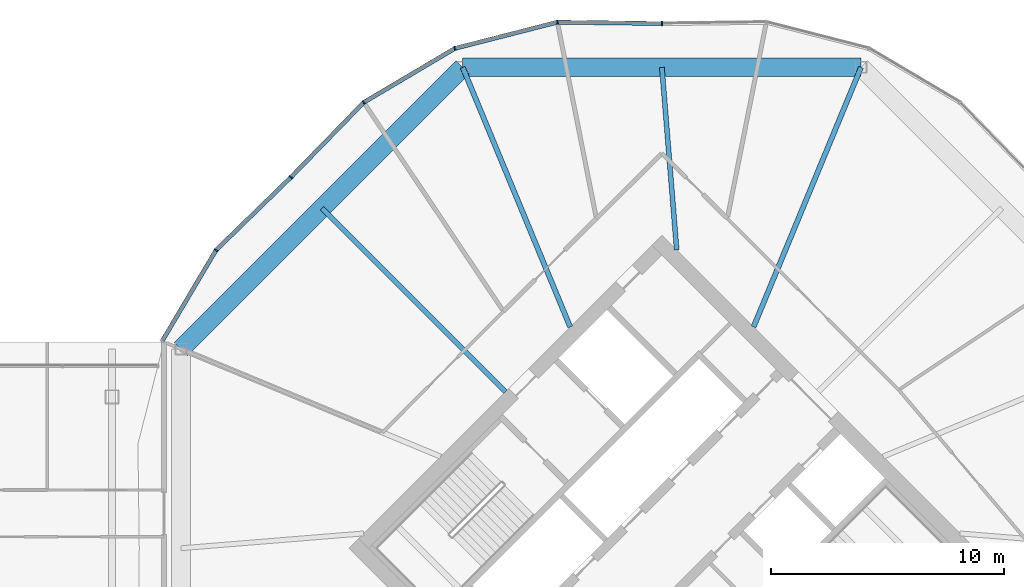
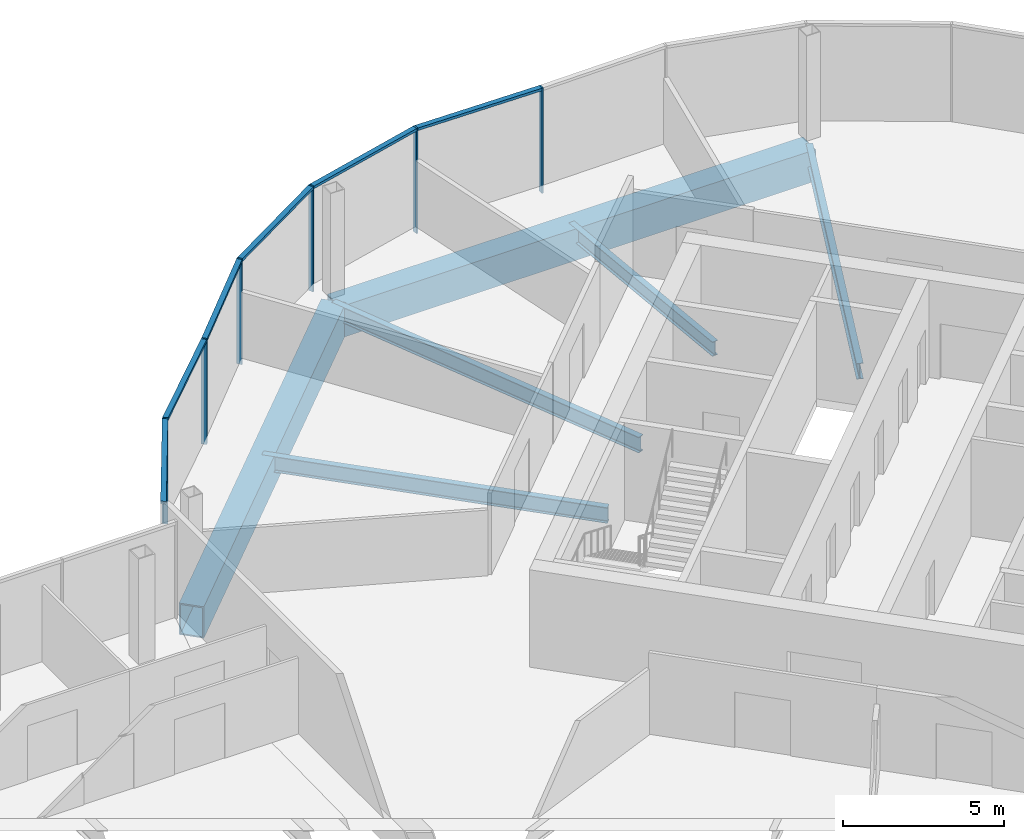
# One storey, part 15 of 25: 12 members, 6 beams, 3 elements without a shape of their own.
"""IFC4 building model written with IfcOpenShell, lengths in metres."""

from ifc_helpers import new_model, si_unit, direction, frame, origin, origin_2d, place, context, subcontext, project, spatial, rectangle, hollow_rectangle, i_section, extrude, material, material_profile, profile_set, type_object, element, aggregate, save


model = new_model("IFC4")

# Units and contexts
model_context = context("Model", 3, precision=1e-05, world=origin(), true_north=direction((0.0, 1.0)))
body_context = subcontext(model_context, "Body", "Model", "MODEL_VIEW")
ifc_project = project(units=[si_unit("LENGTHUNIT", "METRE"), si_unit("AREAUNIT", "SQUARE_METRE"), si_unit("VOLUMEUNIT", "CUBIC_METRE"), si_unit("PLANEANGLEUNIT", "RADIAN"), si_unit("MASSUNIT", "GRAM", prefix="KILO")], contexts=[model_context])

# Site, building, storey
site_placement = place(None, origin())
site = spatial("IfcSite", under=ifc_project, at=site_placement, CompositionType="ELEMENT")
building_placement = place(site_placement, origin())
building = spatial("IfcBuilding", under=site, at=building_placement, Name="Ogive Gate Towers", CompositionType="ELEMENT")
storey_placement = place(building_placement, frame((0.0, 0.0, 152.800048828125)))
storey = spatial("IfcBuildingStorey", under=building, at=storey_placement, Name="L36", CompositionType="ELEMENT", Elevation=152.800048828125)

# Beams
ifc_material_1 = material(Name="Steel SM460", Category="steel")
ifc_material_profile_1 = material_profile(ifc_material_1, hollow_rectangle(XDim=0.800048828125, YDim=1.199951171875, WallThickness=0.050048828125, at=origin_2d()), Name="BX 1200x800x50")
ifc_profile_set_1 = profile_set([ifc_material_profile_1], Name="Steel SM460")
beam_type_1 = type_object("IfcBeamType", Name="Edge girder BX 1200x800x50", PredefinedType="BEAM", material=ifc_profile_set_1)
beam_1_placement = place(storey_placement, frame((44.549072265625, 20.639404296875, -0.900146484375), z_axis=(-1.0, 0.0, 0.0), x_axis=(0.0, -1.0, 0.0)))
element("IfcBeam", 1, at=beam_1_placement, inside=storey, type_object=beam_type_1, Name="T2/L36/SBM022", PredefinedType="BEAM", context=body_context, shape_type="SweptSolid", body=[
    extrude(hollow_rectangle(XDim=0.800048828125, YDim=1.199951171875, WallThickness=0.050048828125, at=origin_2d()), origin(), (0.0, 0.0, 1.0), 17.09814453125),
])
beam_2_placement = place(storey_placement, frame((27.450927734375, 20.639404296875, -0.900146484375), z_axis=(-0.707106781187, -0.707106781187, 0.0), x_axis=(0.707106781187, -0.707106781187, 0.0)))
element("IfcBeam", 2, at=beam_2_placement, inside=storey, type_object=beam_type_1, Name="T2/L36/SBM023", PredefinedType="BEAM", context=body_context, shape_type="SweptSolid", body=[
    extrude(hollow_rectangle(XDim=0.800048828125, YDim=1.199951171875, WallThickness=0.050048828125, at=origin_2d()), origin(), (0.0, 0.0, 1.0), 17.098388671875),
])
ifc_material_2 = material(Name="Steel SM355", Category="steel")
ifc_material_profile_2 = material_profile(ifc_material_2, i_section(OverallWidth=0.2099609375, OverallDepth=0.550048828125, WebThickness=0.010986328125, FlangeThickness=0.01708984375, FilletRadius=0.02392578125, at=origin_2d()), Name="IPE 550")
ifc_profile_set_2 = profile_set([ifc_material_profile_2], Name="Steel SM355")
beam_type_2 = type_object("IfcBeamType", Name="Radial floor beam IPE 550", PredefinedType="BEAM", material=ifc_profile_set_2)
beam_3_placement = place(storey_placement, frame((36.636474609375, 12.798583984375, -0.574951171875), z_axis=(-0.080908365468, 0.996721544062, 0.0), x_axis=(-0.996721544062, -0.080908365468, 0.0)))
element("IfcBeam", 3, at=beam_3_placement, inside=storey, type_object=beam_type_2, Name="T2/L36/SBM012", PredefinedType="BEAM", context=body_context, shape_type="SweptSolid", body=[
    extrude(i_section(OverallWidth=0.2099609375, OverallDepth=0.550048828125, WebThickness=0.010986328125, FlangeThickness=0.01708984375, FilletRadius=0.02392578125, at=origin_2d()), origin(), (0.0, 0.0, 1.0), 7.86669921875),
])
ifc_material_profile_3 = material_profile(ifc_material_2, i_section(OverallWidth=0.219970703125, OverallDepth=0.60009765625, WebThickness=0.011962890625, FlangeThickness=0.01904296875, FilletRadius=0.02392578125, at=origin_2d()), Name="IPE 600")
ifc_profile_set_3 = profile_set([ifc_material_profile_3], Name="Steel SM355")
beam_type_3 = type_object("IfcBeamType", Name="Radial floor beam IPE 600", PredefinedType="BEAM", material=ifc_profile_set_3)
for number, where, z_axis, x_axis, name in (
    (4, (39.93505859375, 9.5, -0.60009765625), (0.382677863518, 0.923881839184, 0.0), (-0.923881839184, 0.382677863518, 0.0), "T2/L36/SBM011"),
    (5, (32.06494140625, 9.5, -0.60009765625), (-0.382677863518, 0.923881839184, 0.0), (-0.923881839184, -0.382677863518, 0.0), "T2/L36/SBM013"),
):
    element("IfcBeam", number, at=place(storey_placement, frame(where, z_axis=z_axis, x_axis=x_axis)), inside=storey, type_object=beam_type_3, Name=name, PredefinedType="BEAM", context=body_context, shape_type="SweptSolid", body=[
        extrude(i_section(OverallWidth=0.219970703125, OverallDepth=0.60009765625, WebThickness=0.011962890625, FlangeThickness=0.01904296875, FilletRadius=0.02392578125, at=origin_2d()), origin(), (0.0, 0.0, 1.0), 12.05712890625),
    ])
beam_4_placement = place(storey_placement, frame((29.282470703125, 6.717529296875, -0.60009765625), z_axis=(-0.707106781187, 0.707106781187, 0.0), x_axis=(-0.707106781187, -0.707106781187, 0.0)))
element("IfcBeam", 6, at=beam_4_placement, inside=storey, type_object=beam_type_3, Name="T2/L36/SBM014", PredefinedType="BEAM", context=body_context, shape_type="SweptSolid", body=[
    extrude(i_section(OverallWidth=0.219970703125, OverallDepth=0.60009765625, WebThickness=0.011962890625, FlangeThickness=0.01904296875, FilletRadius=0.02392578125, at=origin_2d()), origin(), (0.0, 0.0, 1.0), 11.139404296875),
])

# Curtain wall, member
ifc_material_3 = material(Name="Pale metal aluminium", Category="aluminium")
curtain_wall_type = type_object("IfcCurtainWallType", Name="Tower unitised wall, high zone", PredefinedType="NOTDEFINED", material=ifc_material_3)
curtain_wall_1_placement = place(storey_placement, origin())
curtain_wall_1 = element("IfcCurtainWall", 7, at=curtain_wall_1_placement, inside=storey, type_object=curtain_wall_type, Name="CW2 T2 ECW02", PredefinedType="NOTDEFINED")
ifc_material_profile_4 = material_profile(ifc_material_3, rectangle(XDim=0.179931640625, YDim=0.06005859375, at=origin_2d()), Name="60 x 180 aluminium box")
ifc_profile_set_4 = profile_set([ifc_material_profile_4], Name="Pale metal aluminium")
member_type_1 = type_object("IfcMemberType", Name="Tower unitised wall, high zone mullion 60 x 180", PredefinedType="MULLION", material=ifc_profile_set_4)
member_1_placement = place(storey_placement, frame((36.0, 22.52001953125, -0.300048828125), z_axis=(0.0, 0.0, 1.0), x_axis=(-0.013281565099, 0.999911796124, 0.0)))
member_1 = element("IfcMember", 8, at=member_1_placement, type_object=member_type_1, Name="CW2 mullion", PredefinedType="MULLION", context=body_context, shape_type="SweptSolid", body=[
    extrude(rectangle(XDim=0.179931640625, YDim=0.06005859375, at=origin_2d()), origin(), (0.0, 0.0, 1.0), 4.0),
])
aggregate(curtain_wall_1, [member_1])

# Curtain wall, members
curtain_wall_2_placement = place(storey_placement, origin())
curtain_wall_2 = element("IfcCurtainWall", 9, at=curtain_wall_2_placement, inside=storey, type_object=curtain_wall_type, Name="CW2 T2 ECW03", PredefinedType="NOTDEFINED")
member_2_placement = place(storey_placement, frame((31.515869140625, 22.57958984375, -0.300048828125), z_axis=(0.0, 0.0, 1.0), x_axis=(-0.118317315268, 0.992975837021, 0.0)))
member_2 = element("IfcMember", 10, at=member_2_placement, type_object=member_type_1, Name="CW2 mullion", PredefinedType="MULLION", context=body_context, shape_type="SweptSolid", body=[
    extrude(rectangle(XDim=0.179931640625, YDim=0.06005859375, at=origin_2d()), origin(), (0.0, 0.0, 1.0), 4.0),
])
member_3_placement = place(storey_placement, frame((27.11376953125, 21.45361328125, -0.300048828125), z_axis=(0.0, 0.0, 1.0), x_axis=(-0.382683432365, 0.923879532511, 0.0)))
member_3 = element("IfcMember", 11, at=member_3_placement, type_object=member_type_1, Name="CW2 mullion", PredefinedType="MULLION", context=body_context, shape_type="SweptSolid", body=[
    extrude(rectangle(XDim=0.179931640625, YDim=0.06005859375, at=origin_2d()), origin(), (0.0, 0.0, 1.0), 4.0),
])
member_4_placement = place(storey_placement, frame((23.20458984375, 19.136962890625, -0.300048828125), z_axis=(0.0, 0.0, 1.0), x_axis=(-0.618476971954, 0.78580292387, 0.0)))
member_4 = element("IfcMember", 12, at=member_4_placement, type_object=member_type_1, Name="CW2 mullion", PredefinedType="MULLION", context=body_context, shape_type="SweptSolid", body=[
    extrude(rectangle(XDim=0.179931640625, YDim=0.06005859375, at=origin_2d()), origin(), (0.0, 0.0, 1.0), 4.0),
])
member_5_placement = place(storey_placement, frame((20.076171875, 15.924072265625, -0.300048828125), z_axis=(0.0, 0.0, 1.0), x_axis=(-0.716435896374, 0.697652926882, 0.0)))
member_5 = element("IfcMember", 13, at=member_5_placement, type_object=member_type_1, Name="CW2 mullion", PredefinedType="MULLION", context=body_context, shape_type="SweptSolid", body=[
    extrude(rectangle(XDim=0.179931640625, YDim=0.06005859375, at=origin_2d()), origin(), (0.0, 0.0, 1.0), 4.0),
])

# Curtain wall, member
curtain_wall_3_placement = place(storey_placement, origin())
curtain_wall_3 = element("IfcCurtainWall", 14, at=curtain_wall_3_placement, inside=storey, type_object=curtain_wall_type, Name="CW2 T2 ECW04", PredefinedType="NOTDEFINED")
member_6_placement = place(storey_placement, frame((16.863037109375, 12.79541015625, -0.300048828125), z_axis=(0.0, 0.0, 1.0), x_axis=(-0.78580292387, 0.618476971954, 0.0)))
member_6 = element("IfcMember", 15, at=member_6_placement, type_object=member_type_1, Name="CW2 mullion", PredefinedType="MULLION", context=body_context, shape_type="SweptSolid", body=[
    extrude(rectangle(XDim=0.179931640625, YDim=0.06005859375, at=origin_2d()), origin(), (0.0, 0.0, 1.0), 4.0),
])

# Member
ifc_material_profile_5 = material_profile(ifc_material_3, rectangle(XDim=0.179931640625, YDim=0.10009765625, at=origin_2d()), Name="100 x 180 aluminium box")
ifc_profile_set_5 = profile_set([ifc_material_profile_5], Name="Pale metal aluminium")
member_type_2 = type_object("IfcMemberType", Name="Tower unitised wall, high zone transom 100 x 180", PredefinedType="USERDEFINED", material=ifc_profile_set_5)
member_7_placement = place(storey_placement, frame((35.969970703125, 22.5205078125, 3.64990234375), z_axis=(-0.999912363802, 0.013238758058, 0.0), x_axis=(-0.013238758058, -0.999912363802, 0.0)))
member_7 = element("IfcMember", 16, at=member_7_placement, type_object=member_type_2, Name="CW2 transom", ObjectType="TRANSOM", PredefinedType="USERDEFINED", context=body_context, shape_type="SweptSolid", body=[
    extrude(rectangle(XDim=0.179931640625, YDim=0.10009765625, at=origin_2d()), origin(), (0.0, 0.0, 1.0), 4.426025390625),
])

member_8_placement = place(storey_placement, frame((31.488037109375, 22.572509765625, 3.64990234375), z_axis=(-0.968796323569, -0.247858192196, 0.0), x_axis=(0.247858192196, -0.968796323569, 0.0)))
member_8 = element("IfcMember", 17, at=member_8_placement, type_object=member_type_2, Name="CW2 transom", ObjectType="TRANSOM", PredefinedType="USERDEFINED", context=body_context, shape_type="SweptSolid", body=[
    extrude(rectangle(XDim=0.179931640625, YDim=0.10009765625, at=origin_2d()), origin(), (0.0, 0.0, 1.0), 4.486572265625),
])

member_9_placement = place(storey_placement, frame((27.089111328125, 21.438720703125, 3.64990234375), z_axis=(-0.860312746739, -0.509766591489, 0.0), x_axis=(0.509766591489, -0.860312746739, 0.0)))
member_9 = element("IfcMember", 18, at=member_9_placement, type_object=member_type_2, Name="CW2 transom", ObjectType="TRANSOM", PredefinedType="USERDEFINED", context=body_context, shape_type="SweptSolid", body=[
    extrude(rectangle(XDim=0.179931640625, YDim=0.10009765625, at=origin_2d()), origin(), (0.0, 0.0, 1.0), 4.486572265625),
])

member_10_placement = place(storey_placement, frame((23.1845703125, 19.116455078125, 3.64990234375), z_axis=(-0.697639038006, -0.71644942086, 0.0), x_axis=(0.71644942086, -0.697639038006, 0.0)))
member_10 = element("IfcMember", 19, at=member_10_placement, type_object=member_type_2, Name="CW2 transom", ObjectType="TRANSOM", PredefinedType="USERDEFINED", context=body_context, shape_type="SweptSolid", body=[
    extrude(rectangle(XDim=0.179931640625, YDim=0.10009765625, at=origin_2d()), origin(), (0.0, 0.0, 1.0), 4.42578125),
])

aggregate(curtain_wall_2, [member_2, member_7, member_3, member_8, member_4, member_9, member_5, member_10])

member_11_placement = place(storey_placement, frame((20.054443359375, 15.903076171875, 3.64990234375), z_axis=(-0.71644942086, -0.697639038006, 0.0), x_axis=(0.697639038006, -0.71644942086, 0.0)))
member_11 = element("IfcMember", 20, at=member_11_placement, type_object=member_type_2, Name="CW2 transom", ObjectType="TRANSOM", PredefinedType="USERDEFINED", context=body_context, shape_type="SweptSolid", body=[
    extrude(rectangle(XDim=0.179931640625, YDim=0.10009765625, at=origin_2d()), origin(), (0.0, 0.0, 1.0), 4.42578125),
])

member_12_placement = place(storey_placement, frame((16.848388671875, 12.770751953125, 3.64990234375), z_axis=(-0.509766591489, -0.860312746739, 0.0), x_axis=(0.860312746739, -0.509766591489, 0.0)))
member_12 = element("IfcMember", 21, at=member_12_placement, type_object=member_type_2, Name="CW2 transom", ObjectType="TRANSOM", PredefinedType="USERDEFINED", context=body_context, shape_type="SweptSolid", body=[
    extrude(rectangle(XDim=0.179931640625, YDim=0.10009765625, at=origin_2d()), origin(), (0.0, 0.0, 1.0), 4.486572265625),
])

aggregate(curtain_wall_3, [member_6, member_11, member_12])

save(model, "model.ifc")
